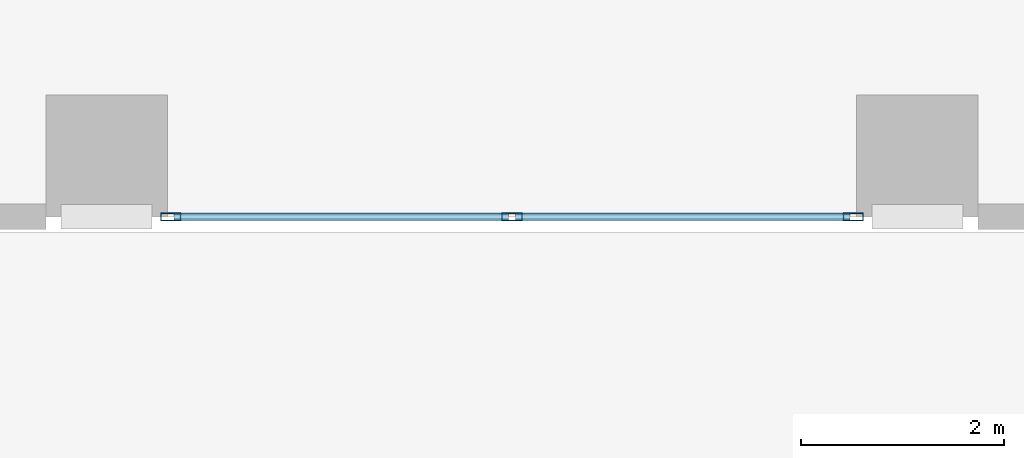
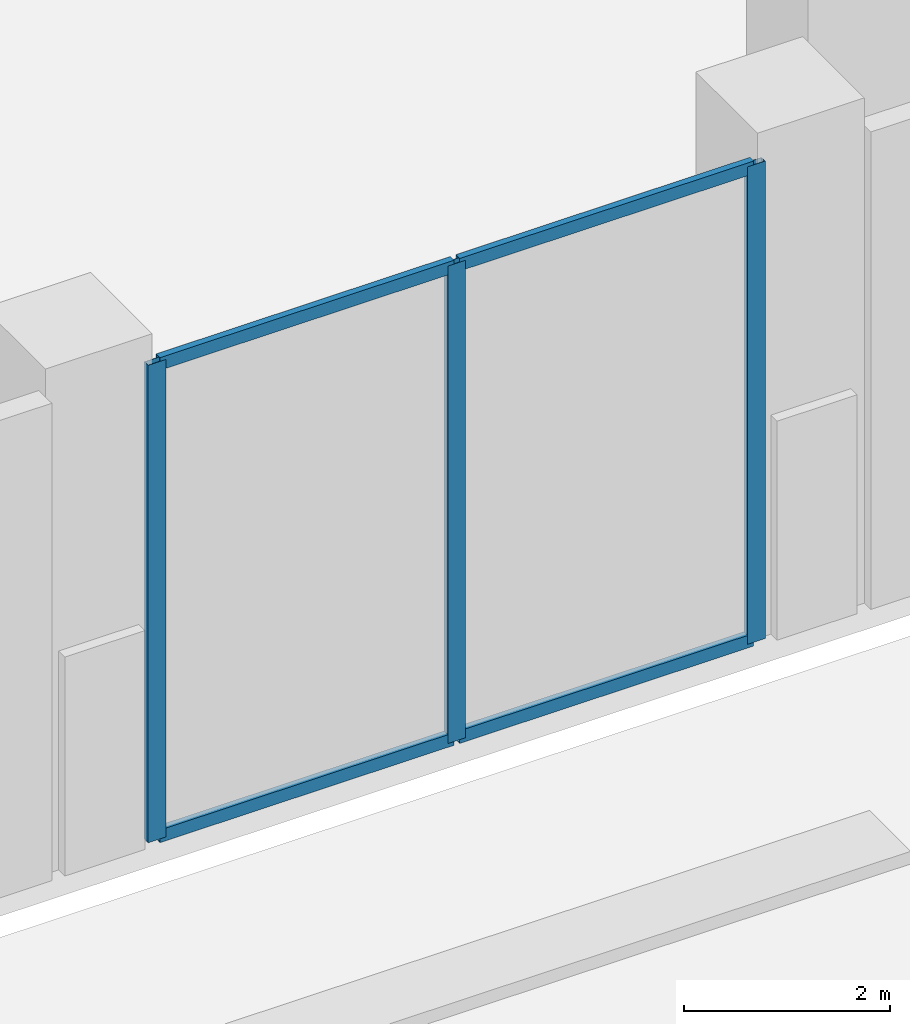
# One storey, part 2 of 26: 7 members, 1 element without a shape of its own.
"""IFC4 building model written with IfcOpenShell, lengths in metres."""

from ifc_helpers import new_model, si_unit, direction, frame, origin, origin_2d, place, context, subcontext, project, spatial, hollow_rectangle, extrude, material, layer, layer_set, material_profile, profile_set, type_object, element, aggregate, save


model = new_model("IFC4")

# Units and contexts
model_context = context("Model", 3, precision=1e-05, world=origin(), true_north=direction((0.0, 1.0)))
body_context = subcontext(model_context, "Body", "Model", "MODEL_VIEW")
ifc_project = project(units=[si_unit("LENGTHUNIT", "METRE"), si_unit("AREAUNIT", "SQUARE_METRE"), si_unit("VOLUMEUNIT", "CUBIC_METRE"), si_unit("PLANEANGLEUNIT", "RADIAN"), si_unit("MASSUNIT", "GRAM", prefix="KILO")], contexts=[model_context])

# Site, building, storey
site_placement = place(None, origin())
site = spatial("IfcSite", under=ifc_project, at=site_placement, CompositionType="ELEMENT")
building_placement = place(site_placement, origin())
building = spatial("IfcBuilding", under=site, at=building_placement, Name="Catumbela Crestline Tower", CompositionType="ELEMENT")
storey_placement = place(building_placement, origin())
storey = spatial("IfcBuildingStorey", under=building, at=storey_placement, Name="L00", CompositionType="ELEMENT", Elevation=0.0)

# Curtain wall, members
ifc_material = material(Name="Aluminium alloy AW-6060-T66", Category="aluminium")
ifc_layer = layer(ifc_material, 0.18, Name="Aluminium alloy AW-6060-T66")
ifc_layer_set = layer_set([ifc_layer], Name="Aluminium alloy AW-6060-T66")
curtain_wall_type = type_object("IfcCurtainWallType", Name="CWS-POD", PredefinedType="USERDEFINED", material=ifc_layer_set)
curtain_wall_placement = place(storey_placement, origin())
curtain_wall = element("IfcCurtainWall", 1, at=curtain_wall_placement, inside=storey, type_object=curtain_wall_type, Name="L00 Stick Curtain Wall CW-L00-E0S2", ObjectType="STICK", PredefinedType="USERDEFINED")
ifc_material_profile_1 = material_profile(ifc_material, hollow_rectangle(XDim=0.075, YDim=0.2, WallThickness=0.005, at=origin_2d()), Name="ALU 200x75x5")
ifc_profile_set_1 = profile_set([ifc_material_profile_1], Name="Aluminium alloy AW-6060-T66")
member_type_1 = type_object("IfcMemberType", Name="MUL-200X75", PredefinedType="MULLION", material=ifc_profile_set_1)
member_1_placement = place(storey_placement, frame((8.6325, 0.0, 0.0), z_axis=(0.0, 0.0, 1.0), x_axis=(0.0, 1.0, 0.0)))
member_1 = element("IfcMember", 2, at=member_1_placement, type_object=member_type_1, Name="CWS-POD mullion 1", PredefinedType="MULLION", context=body_context, shape_type="SweptSolid", body=[
    extrude(hollow_rectangle(XDim=0.075, YDim=0.2, WallThickness=0.005, at=origin_2d()), origin(), (0.0, 0.0, 1.0), 5.67),
])
member_2_placement = place(storey_placement, frame((12.0, 0.0, 0.0), z_axis=(0.0, 0.0, 1.0), x_axis=(0.0, 1.0, 0.0)))
member_2 = element("IfcMember", 3, at=member_2_placement, type_object=member_type_1, Name="CWS-POD mullion 2", PredefinedType="MULLION", context=body_context, shape_type="SweptSolid", body=[
    extrude(hollow_rectangle(XDim=0.075, YDim=0.2, WallThickness=0.005, at=origin_2d()), origin(), (0.0, 0.0, 1.0), 5.67),
])
member_3_placement = place(storey_placement, frame((15.3675, 0.0, 0.0), z_axis=(0.0, 0.0, 1.0), x_axis=(0.0, 1.0, 0.0)))
member_3 = element("IfcMember", 4, at=member_3_placement, type_object=member_type_1, Name="CWS-POD mullion 3", PredefinedType="MULLION", context=body_context, shape_type="SweptSolid", body=[
    extrude(hollow_rectangle(XDim=0.075, YDim=0.2, WallThickness=0.005, at=origin_2d()), origin(), (0.0, 0.0, 1.0), 5.67),
])
ifc_material_profile_2 = material_profile(ifc_material, hollow_rectangle(XDim=0.075, YDim=0.15, WallThickness=0.0045, at=origin_2d()), Name="ALU 150x75x4.5")
ifc_profile_set_2 = profile_set([ifc_material_profile_2], Name="Aluminium alloy AW-6060-T66")
member_type_2 = type_object("IfcMemberType", Name="TRN-150X75", PredefinedType="USERDEFINED", material=ifc_profile_set_2)
member_4_placement = place(storey_placement, frame((8.665, 0.0, 0.03), z_axis=(1.0, 0.0, 0.0), x_axis=(0.0, 1.0, 0.0)))
member_4 = element("IfcMember", 5, at=member_4_placement, type_object=member_type_2, Name="CWS-POD transom 1.1", ObjectType="TRANSOM", PredefinedType="USERDEFINED", context=body_context, shape_type="SweptSolid", body=[
    extrude(hollow_rectangle(XDim=0.075, YDim=0.15, WallThickness=0.0045, at=origin_2d()), origin(), (0.0, 0.0, 1.0), 3.3025),
])
member_5_placement = place(storey_placement, frame((8.665, 0.0, 5.64), z_axis=(1.0, 0.0, 0.0), x_axis=(0.0, 1.0, 0.0)))
member_5 = element("IfcMember", 6, at=member_5_placement, type_object=member_type_2, Name="CWS-POD transom 1.2", ObjectType="TRANSOM", PredefinedType="USERDEFINED", context=body_context, shape_type="SweptSolid", body=[
    extrude(hollow_rectangle(XDim=0.075, YDim=0.15, WallThickness=0.0045, at=origin_2d()), origin(), (0.0, 0.0, 1.0), 3.3025),
])
member_6_placement = place(storey_placement, frame((12.0325, 0.0, 0.03), z_axis=(1.0, 0.0, 0.0), x_axis=(0.0, 1.0, 0.0)))
member_6 = element("IfcMember", 7, at=member_6_placement, type_object=member_type_2, Name="CWS-POD transom 2.1", ObjectType="TRANSOM", PredefinedType="USERDEFINED", context=body_context, shape_type="SweptSolid", body=[
    extrude(hollow_rectangle(XDim=0.075, YDim=0.15, WallThickness=0.0045, at=origin_2d()), origin(), (0.0, 0.0, 1.0), 3.3025),
])
member_7_placement = place(storey_placement, frame((12.0325, 0.0, 5.64), z_axis=(1.0, 0.0, 0.0), x_axis=(0.0, 1.0, 0.0)))
member_7 = element("IfcMember", 8, at=member_7_placement, type_object=member_type_2, Name="CWS-POD transom 2.2", ObjectType="TRANSOM", PredefinedType="USERDEFINED", context=body_context, shape_type="SweptSolid", body=[
    extrude(hollow_rectangle(XDim=0.075, YDim=0.15, WallThickness=0.0045, at=origin_2d()), origin(), (0.0, 0.0, 1.0), 3.3025),
])
aggregate(curtain_wall, [member_1, member_2, member_3, member_4, member_5, member_6, member_7])

save(model, "model.ifc")
